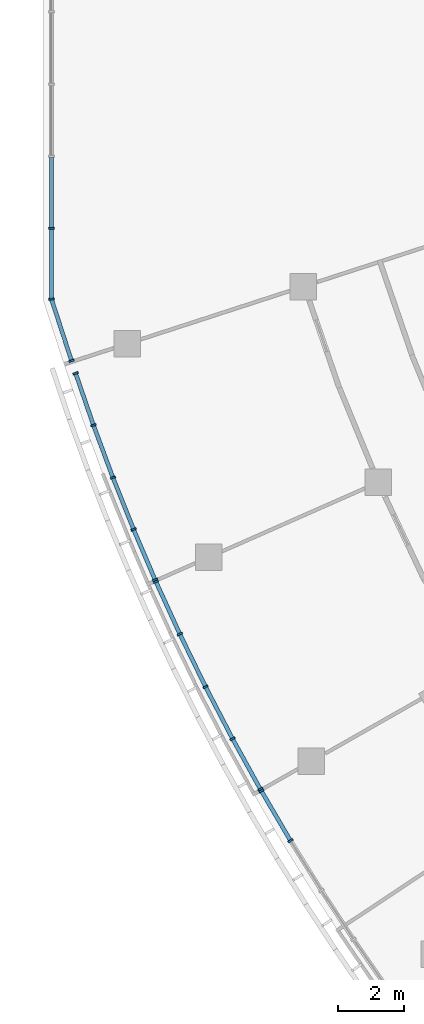
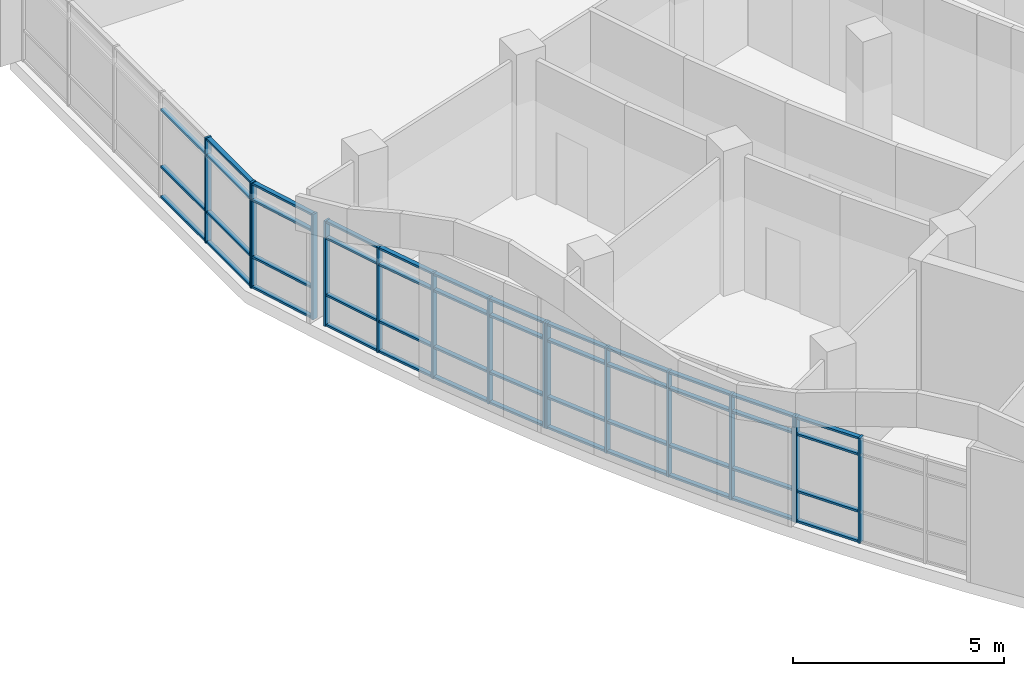
# One storey, part 17 of 137: 63 members, 5 elements without a shape of their own.
"""IFC4 building model written with IfcOpenShell, lengths in metres."""

from ifc_helpers import new_model, si_unit, direction, frame, origin, origin_2d, place, context, subcontext, project, spatial, rectangle, extrude, material, material_profile, profile_set, type_object, element, aggregate, save


model = new_model("IFC4")

# Units and contexts
model_context = context("Model", 3, precision=1e-05, world=origin(), true_north=direction((0.0, 1.0)))
body_context = subcontext(model_context, "Body", "Model", "MODEL_VIEW")
ifc_project = project(units=[si_unit("LENGTHUNIT", "METRE"), si_unit("AREAUNIT", "SQUARE_METRE"), si_unit("VOLUMEUNIT", "CUBIC_METRE"), si_unit("PLANEANGLEUNIT", "RADIAN"), si_unit("MASSUNIT", "GRAM", prefix="KILO")], contexts=[model_context])

# Site, building, storey
site_placement = place(None, origin())
site = spatial("IfcSite", under=ifc_project, at=site_placement, CompositionType="ELEMENT")
building_placement = place(site_placement, origin())
building = spatial("IfcBuilding", under=site, at=building_placement, Name="Bougainvillea Quay General Hospital", CompositionType="ELEMENT")
storey_placement = place(building_placement, frame((0.0, 0.0, 16.800048828125)))
storey = spatial("IfcBuildingStorey", under=building, at=storey_placement, Name="L03", CompositionType="ELEMENT", Elevation=16.800048828125)

# Curtain wall, members
ifc_material_1 = material(Name="Aluminium curtain wall system, powder-coated glazed", Category="aluminium")
curtain_wall_type_1 = type_object("IfcCurtainWallType", Name="Unitised curtain wall CW-2177", PredefinedType="NOTDEFINED", material=ifc_material_1)
curtain_wall_1_placement = place(storey_placement, origin())
curtain_wall_1 = element("IfcCurtainWall", 1, at=curtain_wall_1_placement, inside=storey, type_object=curtain_wall_type_1, Name="CW-AE 00", PredefinedType="NOTDEFINED")
ifc_material_2 = material(Name="Aluminium mullion, powder-coated charcoal", Category="aluminium")
ifc_material_profile_1 = material_profile(ifc_material_2, rectangle(XDim=0.159912109375, YDim=0.06005859375, at=origin_2d()))
ifc_profile_set_1 = profile_set([ifc_material_profile_1], Name="Aluminium mullion, powder-coated charcoal")
member_type_1 = type_object("IfcMemberType", Name="Curtain wall mullion 160x60", PredefinedType="MULLION", material=ifc_profile_set_1)
member_1_placement = place(storey_placement, frame((42.25, 108.472900390625, 0.0), z_axis=(0.0, 0.0, 1.0), x_axis=(1.0, 0.0, 0.0)))
member_1 = element("IfcMember", 2, at=member_1_placement, type_object=member_type_1, Name="CW-AE mullion 5", PredefinedType="MULLION", context=body_context, shape_type="SweptSolid", body=[
    extrude(rectangle(XDim=0.159912109375, YDim=0.06005859375, at=origin_2d()), origin(), (0.0, 0.0, 1.0), 3.050048828125),
])
member_2_placement = place(storey_placement, frame((42.25, 106.325927734375, 0.0), z_axis=(0.0, 0.0, 1.0), x_axis=(1.0, 0.0, 0.0)))
member_2 = element("IfcMember", 3, at=member_2_placement, type_object=member_type_1, Name="CW-AE mullion 6", PredefinedType="MULLION", context=body_context, shape_type="SweptSolid", body=[
    extrude(rectangle(XDim=0.159912109375, YDim=0.06005859375, at=origin_2d()), origin(), (0.0, 0.0, 1.0), 3.050048828125),
])

curtain_wall_type_2 = type_object("IfcCurtainWallType", Name="Unitised curtain wall CW-2027", PredefinedType="NOTDEFINED", material=ifc_material_1)
curtain_wall_2_placement = place(storey_placement, origin())
curtain_wall_2 = element("IfcCurtainWall", 4, at=curtain_wall_2_placement, inside=storey, type_object=curtain_wall_type_2, Name="CW-AE 00", PredefinedType="NOTDEFINED")
member_3_placement = place(storey_placement, frame((42.2470703125, 106.3447265625, 0.0), z_axis=(0.0, 0.0, 1.0), x_axis=(0.951073957858, 0.30896330961, 0.0)))
member_3 = element("IfcMember", 5, at=member_3_placement, type_object=member_type_1, Name="CW-AE mullion 1", PredefinedType="MULLION", context=body_context, shape_type="SweptSolid", body=[
    extrude(rectangle(XDim=0.159912109375, YDim=0.06005859375, at=origin_2d()), origin(), (0.0, 0.0, 1.0), 3.050048828125),
])
member_4_placement = place(storey_placement, frame((42.8544921875, 104.474853515625, 0.0), z_axis=(0.0, 0.0, 1.0), x_axis=(0.951073957858, 0.30896330961, 0.0)))
member_4 = element("IfcMember", 6, at=member_4_placement, type_object=member_type_1, Name="CW-AE mullion 2", PredefinedType="MULLION", context=body_context, shape_type="SweptSolid", body=[
    extrude(rectangle(XDim=0.159912109375, YDim=0.06005859375, at=origin_2d()), origin(), (0.0, 0.0, 1.0), 3.050048828125),
])

curtain_wall_type_3 = type_object("IfcCurtainWallType", Name="Unitised curtain wall CW-2100", PredefinedType="NOTDEFINED", material=ifc_material_1)
curtain_wall_3_placement = place(storey_placement, origin())
curtain_wall_3 = element("IfcCurtainWall", 7, at=curtain_wall_3_placement, inside=storey, type_object=curtain_wall_type_3, Name="CW-W06 a01b5", PredefinedType="NOTDEFINED")
member_5_placement = place(storey_placement, frame((49.46337890625, 89.99169921875, 0.0), z_axis=(0.0, 0.0, 1.0), x_axis=(-0.856438326455, -0.516249351553, 0.0)))
member_5 = element("IfcMember", 8, at=member_5_placement, type_object=member_type_1, Name="CW-W06 mullion 4", PredefinedType="MULLION", context=body_context, shape_type="SweptSolid", body=[
    extrude(rectangle(XDim=0.159912109375, YDim=0.06005859375, at=origin_2d()), origin(), (0.0, 0.0, 1.0), 3.050048828125),
])
member_6_placement = place(storey_placement, frame((48.584716796875, 91.491943359375, 0.0), z_axis=(0.0, 0.0, 1.0), x_axis=(-0.862915251166, -0.505348661129, 0.0)))
member_6 = element("IfcMember", 9, at=member_6_placement, type_object=member_type_1, Name="CW-W06 mullion 5", PredefinedType="MULLION", context=body_context, shape_type="SweptSolid", body=[
    extrude(rectangle(XDim=0.159912109375, YDim=0.06005859375, at=origin_2d()), origin(), (0.0, 0.0, 1.0), 3.050048828125),
])

curtain_wall_4_placement = place(storey_placement, origin())
curtain_wall_4 = element("IfcCurtainWall", 10, at=curtain_wall_4_placement, inside=storey, type_object=curtain_wall_type_3, Name="CW-W07 a01b6", PredefinedType="NOTDEFINED")
member_7_placement = place(storey_placement, frame((48.55517578125, 91.544189453125, 0.0), z_axis=(0.0, 0.0, 1.0), x_axis=(-0.875451874397, -0.483305302697, 0.0)))
member_7 = element("IfcMember", 11, at=member_7_placement, type_object=member_type_1, Name="CW-W07 mullion 1", PredefinedType="MULLION", context=body_context, shape_type="SweptSolid", body=[
    extrude(rectangle(XDim=0.159912109375, YDim=0.06005859375, at=origin_2d()), origin(), (0.0, 0.0, 1.0), 3.050048828125),
])
member_8_placement = place(storey_placement, frame((47.71484375, 93.06640625, 0.0), z_axis=(0.0, 0.0, 1.0), x_axis=(-0.881509557333, -0.472166178724, 0.0)))
member_8 = element("IfcMember", 12, at=member_8_placement, type_object=member_type_1, Name="CW-W07 mullion 2", PredefinedType="MULLION", context=body_context, shape_type="SweptSolid", body=[
    extrude(rectangle(XDim=0.159912109375, YDim=0.06005859375, at=origin_2d()), origin(), (0.0, 0.0, 1.0), 3.050048828125),
])
member_9_placement = place(storey_placement, frame((46.8994140625, 94.635986328125, 0.0), z_axis=(0.0, 0.0, 1.0), x_axis=(-0.893198796365, -0.449661995473, 0.0)))
member_9 = element("IfcMember", 13, at=member_9_placement, type_object=member_type_1, Name="CW-W07 mullion 3", PredefinedType="MULLION", context=body_context, shape_type="SweptSolid", body=[
    extrude(rectangle(XDim=0.159912109375, YDim=0.06005859375, at=origin_2d()), origin(), (0.0, 0.0, 1.0), 3.050048828125),
])
member_10_placement = place(storey_placement, frame((46.1240234375, 96.225830078125, 0.0), z_axis=(0.0, 0.0, 1.0), x_axis=(-0.904313640176, -0.426868645126, 0.0)))
member_10 = element("IfcMember", 14, at=member_10_placement, type_object=member_type_1, Name="CW-W07 mullion 4", PredefinedType="MULLION", context=body_context, shape_type="SweptSolid", body=[
    extrude(rectangle(XDim=0.159912109375, YDim=0.06005859375, at=origin_2d()), origin(), (0.0, 0.0, 1.0), 3.050048828125),
])
member_11_placement = place(storey_placement, frame((45.40185546875, 97.8076171875, 0.0), z_axis=(0.0, 0.0, 1.0), x_axis=(-0.909653415663, -0.415368105869, 0.0)))
member_11 = element("IfcMember", 15, at=member_11_placement, type_object=member_type_1, Name="CW-W07 mullion 5", PredefinedType="MULLION", context=body_context, shape_type="SweptSolid", body=[
    extrude(rectangle(XDim=0.159912109375, YDim=0.06005859375, at=origin_2d()), origin(), (0.0, 0.0, 1.0), 3.050048828125),
])

curtain_wall_5_placement = place(storey_placement, origin())
curtain_wall_5 = element("IfcCurtainWall", 16, at=curtain_wall_5_placement, inside=storey, type_object=curtain_wall_type_3, Name="CW-W08 a01b7", PredefinedType="NOTDEFINED")
member_12_placement = place(storey_placement, frame((45.377685546875, 97.862548828125, 0.0), z_axis=(0.0, 0.0, 1.0), x_axis=(-0.919658672607, -0.392718634519, 0.0)))
member_12 = element("IfcMember", 17, at=member_12_placement, type_object=member_type_1, Name="CW-W08 mullion 1", PredefinedType="MULLION", context=body_context, shape_type="SweptSolid", body=[
    extrude(rectangle(XDim=0.159912109375, YDim=0.06005859375, at=origin_2d()), origin(), (0.0, 0.0, 1.0), 3.050048828125),
])
member_13_placement = place(storey_placement, frame((44.7275390625, 99.384765625, 0.0), z_axis=(0.0, 0.0, 1.0), x_axis=(-0.924336164481, -0.381579159588, 0.0)))
member_13 = element("IfcMember", 18, at=member_13_placement, type_object=member_type_1, Name="CW-W08 mullion 2", PredefinedType="MULLION", context=body_context, shape_type="SweptSolid", body=[
    extrude(rectangle(XDim=0.159912109375, YDim=0.06005859375, at=origin_2d()), origin(), (0.0, 0.0, 1.0), 3.050048828125),
])
member_14_placement = place(storey_placement, frame((44.103271484375, 100.950439453125, 0.0), z_axis=(0.0, 0.0, 1.0), x_axis=(-0.9332857179, -0.359134750148, 0.0)))
member_14 = element("IfcMember", 19, at=member_14_placement, type_object=member_type_1, Name="CW-W08 mullion 3", PredefinedType="MULLION", context=body_context, shape_type="SweptSolid", body=[
    extrude(rectangle(XDim=0.159912109375, YDim=0.06005859375, at=origin_2d()), origin(), (0.0, 0.0, 1.0), 3.050048828125),
])
member_15_placement = place(storey_placement, frame((43.51708984375, 102.530517578125, 0.0), z_axis=(0.0, 0.0, 1.0), x_axis=(-0.941690376159, -0.336480661329, 0.0)))
member_15 = element("IfcMember", 20, at=member_15_placement, type_object=member_type_1, Name="CW-W08 mullion 4", PredefinedType="MULLION", context=body_context, shape_type="SweptSolid", body=[
    extrude(rectangle(XDim=0.159912109375, YDim=0.06005859375, at=origin_2d()), origin(), (0.0, 0.0, 1.0), 3.050048828125),
])
member_16_placement = place(storey_placement, frame((42.97900390625, 104.095947265625, 0.0), z_axis=(0.0, 0.0, 1.0), x_axis=(-0.945686823657, -0.325079115849, 0.0)))
member_16 = element("IfcMember", 21, at=member_16_placement, type_object=member_type_1, Name="CW-W08 mullion 5", PredefinedType="MULLION", context=body_context, shape_type="SweptSolid", body=[
    extrude(rectangle(XDim=0.159912109375, YDim=0.06005859375, at=origin_2d()), origin(), (0.0, 0.0, 1.0), 3.050048828125),
])

# Member
ifc_material_3 = material(Name="Aluminium transom, powder-coated charcoal", Category="aluminium")
ifc_material_profile_2 = material_profile(ifc_material_3, rectangle(XDim=0.1201171875, YDim=0.06005859375, at=origin_2d()))
ifc_profile_set_2 = profile_set([ifc_material_profile_2], Name="Aluminium transom, powder-coated charcoal")
member_type_2 = type_object("IfcMemberType", Name="Curtain wall transom 120x60", PredefinedType="USERDEFINED", material=ifc_profile_set_2)
member_17_placement = place(storey_placement, frame((42.25, 110.61962890625, 0.030029296875), z_axis=(0.0, -1.0, 0.0), x_axis=(1.0, 0.0, 0.0)))
member_17 = element("IfcMember", 22, at=member_17_placement, type_object=member_type_2, Name="CW-AE transom 4.1", ObjectType="TRANSOM", PredefinedType="USERDEFINED", context=body_context, shape_type="SweptSolid", body=[
    extrude(rectangle(XDim=0.1201171875, YDim=0.06005859375, at=origin_2d()), origin(), (0.0, 0.0, 1.0), 2.116943359375),
])

member_18_placement = place(storey_placement, frame((42.25, 110.61962890625, 0.89990234375), z_axis=(0.0, -1.0, 0.0), x_axis=(1.0, 0.0, 0.0)))
member_18 = element("IfcMember", 23, at=member_18_placement, type_object=member_type_2, Name="CW-AE transom 4.2", ObjectType="TRANSOM", PredefinedType="USERDEFINED", context=body_context, shape_type="SweptSolid", body=[
    extrude(rectangle(XDim=0.1201171875, YDim=0.06005859375, at=origin_2d()), origin(), (0.0, 0.0, 1.0), 2.116943359375),
])

member_19_placement = place(storey_placement, frame((42.25, 110.61962890625, 2.550048828125), z_axis=(0.0, -1.0, 0.0), x_axis=(1.0, 0.0, 0.0)))
member_19 = element("IfcMember", 24, at=member_19_placement, type_object=member_type_2, Name="CW-AE transom 4.3", ObjectType="TRANSOM", PredefinedType="USERDEFINED", context=body_context, shape_type="SweptSolid", body=[
    extrude(rectangle(XDim=0.1201171875, YDim=0.06005859375, at=origin_2d()), origin(), (0.0, 0.0, 1.0), 2.116943359375),
])

member_20_placement = place(storey_placement, frame((42.25, 108.44287109375, 0.030029296875), z_axis=(0.0, -1.0, 0.0), x_axis=(1.0, 0.0, 0.0)))
member_20 = element("IfcMember", 25, at=member_20_placement, type_object=member_type_2, Name="CW-AE transom 5.1", ObjectType="TRANSOM", PredefinedType="USERDEFINED", context=body_context, shape_type="SweptSolid", body=[
    extrude(rectangle(XDim=0.1201171875, YDim=0.06005859375, at=origin_2d()), origin(), (0.0, 0.0, 1.0), 2.0869140625),
])

member_21_placement = place(storey_placement, frame((42.25, 108.44287109375, 0.89990234375), z_axis=(0.0, -1.0, 0.0), x_axis=(1.0, 0.0, 0.0)))
member_21 = element("IfcMember", 26, at=member_21_placement, type_object=member_type_2, Name="CW-AE transom 5.2", ObjectType="TRANSOM", PredefinedType="USERDEFINED", context=body_context, shape_type="SweptSolid", body=[
    extrude(rectangle(XDim=0.1201171875, YDim=0.06005859375, at=origin_2d()), origin(), (0.0, 0.0, 1.0), 2.0869140625),
])

member_22_placement = place(storey_placement, frame((42.25, 108.44287109375, 2.550048828125), z_axis=(0.0, -1.0, 0.0), x_axis=(1.0, 0.0, 0.0)))
member_22 = element("IfcMember", 27, at=member_22_placement, type_object=member_type_2, Name="CW-AE transom 5.3", ObjectType="TRANSOM", PredefinedType="USERDEFINED", context=body_context, shape_type="SweptSolid", body=[
    extrude(rectangle(XDim=0.1201171875, YDim=0.06005859375, at=origin_2d()), origin(), (0.0, 0.0, 1.0), 2.0869140625),
])

member_23_placement = place(storey_placement, frame((42.25, 108.44287109375, 3.02001953125), z_axis=(0.0, -1.0, 0.0), x_axis=(1.0, 0.0, 0.0)))
member_23 = element("IfcMember", 28, at=member_23_placement, type_object=member_type_2, Name="CW-AE transom 5.4", ObjectType="TRANSOM", PredefinedType="USERDEFINED", context=body_context, shape_type="SweptSolid", body=[
    extrude(rectangle(XDim=0.1201171875, YDim=0.06005859375, at=origin_2d()), origin(), (0.0, 0.0, 1.0), 2.0869140625),
])

aggregate(curtain_wall_1, [member_1, member_2, member_17, member_18, member_19, member_20, member_21, member_22, member_23])

member_24_placement = place(storey_placement, frame((42.25634765625, 106.316162109375, 0.030029296875), z_axis=(0.308955733663, -0.951076418926, 0.0), x_axis=(0.951076418926, 0.308955733663, 0.0)))
member_24 = element("IfcMember", 29, at=member_24_placement, type_object=member_type_2, Name="CW-AE transom 1.1", ObjectType="TRANSOM", PredefinedType="USERDEFINED", context=body_context, shape_type="SweptSolid", body=[
    extrude(rectangle(XDim=0.1201171875, YDim=0.06005859375, at=origin_2d()), origin(), (0.0, 0.0, 1.0), 1.906005859375),
])

member_25_placement = place(storey_placement, frame((42.25634765625, 106.316162109375, 0.89990234375), z_axis=(0.308955733663, -0.951076418926, 0.0), x_axis=(0.951076418926, 0.308955733663, 0.0)))
member_25 = element("IfcMember", 30, at=member_25_placement, type_object=member_type_2, Name="CW-AE transom 1.2", ObjectType="TRANSOM", PredefinedType="USERDEFINED", context=body_context, shape_type="SweptSolid", body=[
    extrude(rectangle(XDim=0.1201171875, YDim=0.06005859375, at=origin_2d()), origin(), (0.0, 0.0, 1.0), 1.906005859375),
])

member_26_placement = place(storey_placement, frame((42.25634765625, 106.316162109375, 2.550048828125), z_axis=(0.308955733663, -0.951076418926, 0.0), x_axis=(0.951076418926, 0.308955733663, 0.0)))
member_26 = element("IfcMember", 31, at=member_26_placement, type_object=member_type_2, Name="CW-AE transom 1.3", ObjectType="TRANSOM", PredefinedType="USERDEFINED", context=body_context, shape_type="SweptSolid", body=[
    extrude(rectangle(XDim=0.1201171875, YDim=0.06005859375, at=origin_2d()), origin(), (0.0, 0.0, 1.0), 1.906005859375),
])

member_27_placement = place(storey_placement, frame((42.25634765625, 106.316162109375, 3.02001953125), z_axis=(0.308955733663, -0.951076418926, 0.0), x_axis=(0.951076418926, 0.308955733663, 0.0)))
member_27 = element("IfcMember", 32, at=member_27_placement, type_object=member_type_2, Name="CW-AE transom 1.4", ObjectType="TRANSOM", PredefinedType="USERDEFINED", context=body_context, shape_type="SweptSolid", body=[
    extrude(rectangle(XDim=0.1201171875, YDim=0.06005859375, at=origin_2d()), origin(), (0.0, 0.0, 1.0), 1.906005859375),
])

aggregate(curtain_wall_2, [member_3, member_4, member_24, member_25, member_26, member_27])

member_28_placement = place(storey_placement, frame((49.4482421875, 90.017578125, 0.030029296875), z_axis=(-0.505398470554, 0.862886079365, 0.0), x_axis=(-0.862886079365, -0.505398470554, 0.0)))
member_28 = element("IfcMember", 33, at=member_28_placement, type_object=member_type_2, Name="CW-W06 transom 4.1", ObjectType="TRANSOM", PredefinedType="USERDEFINED", context=body_context, shape_type="SweptSolid", body=[
    extrude(rectangle(XDim=0.1201171875, YDim=0.06005859375, at=origin_2d()), origin(), (0.0, 0.0, 1.0), 1.6787109375),
])

member_29_placement = place(storey_placement, frame((49.4482421875, 90.017578125, 0.89990234375), z_axis=(-0.505398470554, 0.862886079365, 0.0), x_axis=(-0.862886079365, -0.505398470554, 0.0)))
member_29 = element("IfcMember", 34, at=member_29_placement, type_object=member_type_2, Name="CW-W06 transom 4.2", ObjectType="TRANSOM", PredefinedType="USERDEFINED", context=body_context, shape_type="SweptSolid", body=[
    extrude(rectangle(XDim=0.1201171875, YDim=0.06005859375, at=origin_2d()), origin(), (0.0, 0.0, 1.0), 1.6787109375),
])

member_30_placement = place(storey_placement, frame((49.4482421875, 90.017578125, 2.550048828125), z_axis=(-0.505398470554, 0.862886079365, 0.0), x_axis=(-0.862886079365, -0.505398470554, 0.0)))
member_30 = element("IfcMember", 35, at=member_30_placement, type_object=member_type_2, Name="CW-W06 transom 4.3", ObjectType="TRANSOM", PredefinedType="USERDEFINED", context=body_context, shape_type="SweptSolid", body=[
    extrude(rectangle(XDim=0.1201171875, YDim=0.06005859375, at=origin_2d()), origin(), (0.0, 0.0, 1.0), 1.6787109375),
])

member_31_placement = place(storey_placement, frame((49.4482421875, 90.017578125, 3.02001953125), z_axis=(-0.505398470554, 0.862886079365, 0.0), x_axis=(-0.862886079365, -0.505398470554, 0.0)))
member_31 = element("IfcMember", 36, at=member_31_placement, type_object=member_type_2, Name="CW-W06 transom 4.4", ObjectType="TRANSOM", PredefinedType="USERDEFINED", context=body_context, shape_type="SweptSolid", body=[
    extrude(rectangle(XDim=0.1201171875, YDim=0.06005859375, at=origin_2d()), origin(), (0.0, 0.0, 1.0), 1.6787109375),
])

aggregate(curtain_wall_3, [member_5, member_6, member_28, member_29, member_30, member_31])

member_32_placement = place(storey_placement, frame((48.54052734375, 91.570556640625, 0.030029296875), z_axis=(-0.483319558897, 0.875444003913, 0.0), x_axis=(-0.875444003913, -0.483319558897, 0.0)))
member_32 = element("IfcMember", 37, at=member_32_placement, type_object=member_type_2, Name="CW-W07 transom 1.1", ObjectType="TRANSOM", PredefinedType="USERDEFINED", context=body_context, shape_type="SweptSolid", body=[
    extrude(rectangle(XDim=0.1201171875, YDim=0.06005859375, at=origin_2d()), origin(), (0.0, 0.0, 1.0), 1.678466796875),
])

member_33_placement = place(storey_placement, frame((48.54052734375, 91.570556640625, 0.89990234375), z_axis=(-0.483319558897, 0.875444003913, 0.0), x_axis=(-0.875444003913, -0.483319558897, 0.0)))
member_33 = element("IfcMember", 38, at=member_33_placement, type_object=member_type_2, Name="CW-W07 transom 1.2", ObjectType="TRANSOM", PredefinedType="USERDEFINED", context=body_context, shape_type="SweptSolid", body=[
    extrude(rectangle(XDim=0.1201171875, YDim=0.06005859375, at=origin_2d()), origin(), (0.0, 0.0, 1.0), 1.678466796875),
])

member_34_placement = place(storey_placement, frame((48.54052734375, 91.570556640625, 2.550048828125), z_axis=(-0.483319558897, 0.875444003913, 0.0), x_axis=(-0.875444003913, -0.483319558897, 0.0)))
member_34 = element("IfcMember", 39, at=member_34_placement, type_object=member_type_2, Name="CW-W07 transom 1.3", ObjectType="TRANSOM", PredefinedType="USERDEFINED", context=body_context, shape_type="SweptSolid", body=[
    extrude(rectangle(XDim=0.1201171875, YDim=0.06005859375, at=origin_2d()), origin(), (0.0, 0.0, 1.0), 1.678466796875),
])

member_35_placement = place(storey_placement, frame((48.54052734375, 91.570556640625, 3.02001953125), z_axis=(-0.483319558897, 0.875444003913, 0.0), x_axis=(-0.875444003913, -0.483319558897, 0.0)))
member_35 = element("IfcMember", 40, at=member_35_placement, type_object=member_type_2, Name="CW-W07 transom 1.4", ObjectType="TRANSOM", PredefinedType="USERDEFINED", context=body_context, shape_type="SweptSolid", body=[
    extrude(rectangle(XDim=0.1201171875, YDim=0.06005859375, at=origin_2d()), origin(), (0.0, 0.0, 1.0), 1.678466796875),
])

member_36_placement = place(storey_placement, frame((47.700927734375, 93.093017578125, 0.030029296875), z_axis=(-0.460934299369, 0.887434263292, 0.0), x_axis=(-0.887434263292, -0.460934299369, 0.0)))
member_36 = element("IfcMember", 41, at=member_36_placement, type_object=member_type_2, Name="CW-W07 transom 2.1", ObjectType="TRANSOM", PredefinedType="USERDEFINED", context=body_context, shape_type="SweptSolid", body=[
    extrude(rectangle(XDim=0.1201171875, YDim=0.06005859375, at=origin_2d()), origin(), (0.0, 0.0, 1.0), 1.708740234375),
])

member_37_placement = place(storey_placement, frame((47.700927734375, 93.093017578125, 0.89990234375), z_axis=(-0.460934299369, 0.887434263292, 0.0), x_axis=(-0.887434263292, -0.460934299369, 0.0)))
member_37 = element("IfcMember", 42, at=member_37_placement, type_object=member_type_2, Name="CW-W07 transom 2.2", ObjectType="TRANSOM", PredefinedType="USERDEFINED", context=body_context, shape_type="SweptSolid", body=[
    extrude(rectangle(XDim=0.1201171875, YDim=0.06005859375, at=origin_2d()), origin(), (0.0, 0.0, 1.0), 1.708740234375),
])

member_38_placement = place(storey_placement, frame((47.700927734375, 93.093017578125, 2.550048828125), z_axis=(-0.460934299369, 0.887434263292, 0.0), x_axis=(-0.887434263292, -0.460934299369, 0.0)))
member_38 = element("IfcMember", 43, at=member_38_placement, type_object=member_type_2, Name="CW-W07 transom 2.3", ObjectType="TRANSOM", PredefinedType="USERDEFINED", context=body_context, shape_type="SweptSolid", body=[
    extrude(rectangle(XDim=0.1201171875, YDim=0.06005859375, at=origin_2d()), origin(), (0.0, 0.0, 1.0), 1.708740234375),
])

member_39_placement = place(storey_placement, frame((47.700927734375, 93.093017578125, 3.02001953125), z_axis=(-0.460934299369, 0.887434263292, 0.0), x_axis=(-0.887434263292, -0.460934299369, 0.0)))
member_39 = element("IfcMember", 44, at=member_39_placement, type_object=member_type_2, Name="CW-W07 transom 2.4", ObjectType="TRANSOM", PredefinedType="USERDEFINED", context=body_context, shape_type="SweptSolid", body=[
    extrude(rectangle(XDim=0.1201171875, YDim=0.06005859375, at=origin_2d()), origin(), (0.0, 0.0, 1.0), 1.708740234375),
])

member_40_placement = place(storey_placement, frame((46.88623046875, 94.6630859375, 0.030029296875), z_axis=(-0.4383335534, 0.898812380847, 0.0), x_axis=(-0.898812380847, -0.4383335534, 0.0)))
member_40 = element("IfcMember", 45, at=member_40_placement, type_object=member_type_2, Name="CW-W07 transom 3.1", ObjectType="TRANSOM", PredefinedType="USERDEFINED", context=body_context, shape_type="SweptSolid", body=[
    extrude(rectangle(XDim=0.1201171875, YDim=0.06005859375, at=origin_2d()), origin(), (0.0, 0.0, 1.0), 1.708740234375),
])

member_41_placement = place(storey_placement, frame((46.88623046875, 94.6630859375, 0.89990234375), z_axis=(-0.4383335534, 0.898812380847, 0.0), x_axis=(-0.898812380847, -0.4383335534, 0.0)))
member_41 = element("IfcMember", 46, at=member_41_placement, type_object=member_type_2, Name="CW-W07 transom 3.2", ObjectType="TRANSOM", PredefinedType="USERDEFINED", context=body_context, shape_type="SweptSolid", body=[
    extrude(rectangle(XDim=0.1201171875, YDim=0.06005859375, at=origin_2d()), origin(), (0.0, 0.0, 1.0), 1.708740234375),
])

member_42_placement = place(storey_placement, frame((46.88623046875, 94.6630859375, 2.550048828125), z_axis=(-0.4383335534, 0.898812380847, 0.0), x_axis=(-0.898812380847, -0.4383335534, 0.0)))
member_42 = element("IfcMember", 47, at=member_42_placement, type_object=member_type_2, Name="CW-W07 transom 3.3", ObjectType="TRANSOM", PredefinedType="USERDEFINED", context=body_context, shape_type="SweptSolid", body=[
    extrude(rectangle(XDim=0.1201171875, YDim=0.06005859375, at=origin_2d()), origin(), (0.0, 0.0, 1.0), 1.708740234375),
])

member_43_placement = place(storey_placement, frame((46.88623046875, 94.6630859375, 3.02001953125), z_axis=(-0.4383335534, 0.898812380847, 0.0), x_axis=(-0.898812380847, -0.4383335534, 0.0)))
member_43 = element("IfcMember", 48, at=member_43_placement, type_object=member_type_2, Name="CW-W07 transom 3.4", ObjectType="TRANSOM", PredefinedType="USERDEFINED", context=body_context, shape_type="SweptSolid", body=[
    extrude(rectangle(XDim=0.1201171875, YDim=0.06005859375, at=origin_2d()), origin(), (0.0, 0.0, 1.0), 1.708740234375),
])

member_44_placement = place(storey_placement, frame((46.111572265625, 96.253173828125, 0.030029296875), z_axis=(-0.415347290214, 0.909662920269, 0.0), x_axis=(-0.909662920269, -0.415347290214, 0.0)))
member_44 = element("IfcMember", 49, at=member_44_placement, type_object=member_type_2, Name="CW-W07 transom 4.1", ObjectType="TRANSOM", PredefinedType="USERDEFINED", context=body_context, shape_type="SweptSolid", body=[
    extrude(rectangle(XDim=0.1201171875, YDim=0.06005859375, at=origin_2d()), origin(), (0.0, 0.0, 1.0), 1.6787109375),
])

member_45_placement = place(storey_placement, frame((46.111572265625, 96.253173828125, 0.89990234375), z_axis=(-0.415347290214, 0.909662920269, 0.0), x_axis=(-0.909662920269, -0.415347290214, 0.0)))
member_45 = element("IfcMember", 50, at=member_45_placement, type_object=member_type_2, Name="CW-W07 transom 4.2", ObjectType="TRANSOM", PredefinedType="USERDEFINED", context=body_context, shape_type="SweptSolid", body=[
    extrude(rectangle(XDim=0.1201171875, YDim=0.06005859375, at=origin_2d()), origin(), (0.0, 0.0, 1.0), 1.6787109375),
])

member_46_placement = place(storey_placement, frame((46.111572265625, 96.253173828125, 2.550048828125), z_axis=(-0.415347290214, 0.909662920269, 0.0), x_axis=(-0.909662920269, -0.415347290214, 0.0)))
member_46 = element("IfcMember", 51, at=member_46_placement, type_object=member_type_2, Name="CW-W07 transom 4.3", ObjectType="TRANSOM", PredefinedType="USERDEFINED", context=body_context, shape_type="SweptSolid", body=[
    extrude(rectangle(XDim=0.1201171875, YDim=0.06005859375, at=origin_2d()), origin(), (0.0, 0.0, 1.0), 1.6787109375),
])

member_47_placement = place(storey_placement, frame((46.111572265625, 96.253173828125, 3.02001953125), z_axis=(-0.415347290214, 0.909662920269, 0.0), x_axis=(-0.909662920269, -0.415347290214, 0.0)))
member_47 = element("IfcMember", 52, at=member_47_placement, type_object=member_type_2, Name="CW-W07 transom 4.4", ObjectType="TRANSOM", PredefinedType="USERDEFINED", context=body_context, shape_type="SweptSolid", body=[
    extrude(rectangle(XDim=0.1201171875, YDim=0.06005859375, at=origin_2d()), origin(), (0.0, 0.0, 1.0), 1.6787109375),
])

aggregate(curtain_wall_4, [member_7, member_8, member_9, member_10, member_11, member_32, member_33, member_34, member_35, member_36, member_37, member_38, member_39, member_40, member_41, member_42, member_43, member_44, member_45, member_46, member_47])

member_48_placement = place(storey_placement, frame((45.365966796875, 97.89013671875, 0.030029296875), z_axis=(-0.392847767155, 0.919603518828, 0.0), x_axis=(-0.919603518828, -0.392847767155, 0.0)))
member_48 = element("IfcMember", 53, at=member_48_placement, type_object=member_type_2, Name="CW-W08 transom 1.1", ObjectType="TRANSOM", PredefinedType="USERDEFINED", context=body_context, shape_type="SweptSolid", body=[
    extrude(rectangle(XDim=0.1201171875, YDim=0.06005859375, at=origin_2d()), origin(), (0.0, 0.0, 1.0), 1.59521484375),
])

member_49_placement = place(storey_placement, frame((45.365966796875, 97.89013671875, 0.89990234375), z_axis=(-0.392847767155, 0.919603518828, 0.0), x_axis=(-0.919603518828, -0.392847767155, 0.0)))
member_49 = element("IfcMember", 54, at=member_49_placement, type_object=member_type_2, Name="CW-W08 transom 1.2", ObjectType="TRANSOM", PredefinedType="USERDEFINED", context=body_context, shape_type="SweptSolid", body=[
    extrude(rectangle(XDim=0.1201171875, YDim=0.06005859375, at=origin_2d()), origin(), (0.0, 0.0, 1.0), 1.59521484375),
])

member_50_placement = place(storey_placement, frame((45.365966796875, 97.89013671875, 2.550048828125), z_axis=(-0.392847767155, 0.919603518828, 0.0), x_axis=(-0.919603518828, -0.392847767155, 0.0)))
member_50 = element("IfcMember", 55, at=member_50_placement, type_object=member_type_2, Name="CW-W08 transom 1.3", ObjectType="TRANSOM", PredefinedType="USERDEFINED", context=body_context, shape_type="SweptSolid", body=[
    extrude(rectangle(XDim=0.1201171875, YDim=0.06005859375, at=origin_2d()), origin(), (0.0, 0.0, 1.0), 1.59521484375),
])

member_51_placement = place(storey_placement, frame((45.365966796875, 97.89013671875, 3.02001953125), z_axis=(-0.392847767155, 0.919603518828, 0.0), x_axis=(-0.919603518828, -0.392847767155, 0.0)))
member_51 = element("IfcMember", 56, at=member_51_placement, type_object=member_type_2, Name="CW-W08 transom 1.4", ObjectType="TRANSOM", PredefinedType="USERDEFINED", context=body_context, shape_type="SweptSolid", body=[
    extrude(rectangle(XDim=0.1201171875, YDim=0.06005859375, at=origin_2d()), origin(), (0.0, 0.0, 1.0), 1.59521484375),
])

member_52_placement = place(storey_placement, frame((44.716552734375, 99.412841796875, 0.030029296875), z_axis=(-0.370406363802, 0.928869810929, 0.0), x_axis=(-0.928869810929, -0.370406363802, 0.0)))
member_52 = element("IfcMember", 57, at=member_52_placement, type_object=member_type_2, Name="CW-W08 transom 2.1", ObjectType="TRANSOM", PredefinedType="USERDEFINED", context=body_context, shape_type="SweptSolid", body=[
    extrude(rectangle(XDim=0.1201171875, YDim=0.06005859375, at=origin_2d()), origin(), (0.0, 0.0, 1.0), 1.62548828125),
])

member_53_placement = place(storey_placement, frame((44.716552734375, 99.412841796875, 0.89990234375), z_axis=(-0.370406363802, 0.928869810929, 0.0), x_axis=(-0.928869810929, -0.370406363802, 0.0)))
member_53 = element("IfcMember", 58, at=member_53_placement, type_object=member_type_2, Name="CW-W08 transom 2.2", ObjectType="TRANSOM", PredefinedType="USERDEFINED", context=body_context, shape_type="SweptSolid", body=[
    extrude(rectangle(XDim=0.1201171875, YDim=0.06005859375, at=origin_2d()), origin(), (0.0, 0.0, 1.0), 1.62548828125),
])

member_54_placement = place(storey_placement, frame((44.716552734375, 99.412841796875, 2.550048828125), z_axis=(-0.370406363802, 0.928869810929, 0.0), x_axis=(-0.928869810929, -0.370406363802, 0.0)))
member_54 = element("IfcMember", 59, at=member_54_placement, type_object=member_type_2, Name="CW-W08 transom 2.3", ObjectType="TRANSOM", PredefinedType="USERDEFINED", context=body_context, shape_type="SweptSolid", body=[
    extrude(rectangle(XDim=0.1201171875, YDim=0.06005859375, at=origin_2d()), origin(), (0.0, 0.0, 1.0), 1.62548828125),
])

member_55_placement = place(storey_placement, frame((44.716552734375, 99.412841796875, 3.02001953125), z_axis=(-0.370406363802, 0.928869810929, 0.0), x_axis=(-0.928869810929, -0.370406363802, 0.0)))
member_55 = element("IfcMember", 60, at=member_55_placement, type_object=member_type_2, Name="CW-W08 transom 2.4", ObjectType="TRANSOM", PredefinedType="USERDEFINED", context=body_context, shape_type="SweptSolid", body=[
    extrude(rectangle(XDim=0.1201171875, YDim=0.06005859375, at=origin_2d()), origin(), (0.0, 0.0, 1.0), 1.62548828125),
])

member_56_placement = place(storey_placement, frame((44.093017578125, 100.978515625, 0.030029296875), z_axis=(-0.347862189765, 0.937545677251, 0.0), x_axis=(-0.937545677251, -0.347862189765, 0.0)))
member_56 = element("IfcMember", 61, at=member_56_placement, type_object=member_type_2, Name="CW-W08 transom 3.1", ObjectType="TRANSOM", PredefinedType="USERDEFINED", context=body_context, shape_type="SweptSolid", body=[
    extrude(rectangle(XDim=0.1201171875, YDim=0.06005859375, at=origin_2d()), origin(), (0.0, 0.0, 1.0), 1.62548828125),
])

member_57_placement = place(storey_placement, frame((44.093017578125, 100.978515625, 0.89990234375), z_axis=(-0.347862189765, 0.937545677251, 0.0), x_axis=(-0.937545677251, -0.347862189765, 0.0)))
member_57 = element("IfcMember", 62, at=member_57_placement, type_object=member_type_2, Name="CW-W08 transom 3.2", ObjectType="TRANSOM", PredefinedType="USERDEFINED", context=body_context, shape_type="SweptSolid", body=[
    extrude(rectangle(XDim=0.1201171875, YDim=0.06005859375, at=origin_2d()), origin(), (0.0, 0.0, 1.0), 1.62548828125),
])

member_58_placement = place(storey_placement, frame((44.093017578125, 100.978515625, 2.550048828125), z_axis=(-0.347862189765, 0.937545677251, 0.0), x_axis=(-0.937545677251, -0.347862189765, 0.0)))
member_58 = element("IfcMember", 63, at=member_58_placement, type_object=member_type_2, Name="CW-W08 transom 3.3", ObjectType="TRANSOM", PredefinedType="USERDEFINED", context=body_context, shape_type="SweptSolid", body=[
    extrude(rectangle(XDim=0.1201171875, YDim=0.06005859375, at=origin_2d()), origin(), (0.0, 0.0, 1.0), 1.62548828125),
])

member_59_placement = place(storey_placement, frame((44.093017578125, 100.978515625, 3.02001953125), z_axis=(-0.347862189765, 0.937545677251, 0.0), x_axis=(-0.937545677251, -0.347862189765, 0.0)))
member_59 = element("IfcMember", 64, at=member_59_placement, type_object=member_type_2, Name="CW-W08 transom 3.4", ObjectType="TRANSOM", PredefinedType="USERDEFINED", context=body_context, shape_type="SweptSolid", body=[
    extrude(rectangle(XDim=0.1201171875, YDim=0.06005859375, at=origin_2d()), origin(), (0.0, 0.0, 1.0), 1.62548828125),
])

member_60_placement = place(storey_placement, frame((43.50732421875, 102.558837890625, 0.030029296875), z_axis=(-0.325028447329, 0.945704239404, 0.0), x_axis=(-0.945704239404, -0.325028447329, 0.0)))
member_60 = element("IfcMember", 65, at=member_60_placement, type_object=member_type_2, Name="CW-W08 transom 4.1", ObjectType="TRANSOM", PredefinedType="USERDEFINED", context=body_context, shape_type="SweptSolid", body=[
    extrude(rectangle(XDim=0.1201171875, YDim=0.06005859375, at=origin_2d()), origin(), (0.0, 0.0, 1.0), 1.595458984375),
])

member_61_placement = place(storey_placement, frame((43.50732421875, 102.558837890625, 0.89990234375), z_axis=(-0.325028447329, 0.945704239404, 0.0), x_axis=(-0.945704239404, -0.325028447329, 0.0)))
member_61 = element("IfcMember", 66, at=member_61_placement, type_object=member_type_2, Name="CW-W08 transom 4.2", ObjectType="TRANSOM", PredefinedType="USERDEFINED", context=body_context, shape_type="SweptSolid", body=[
    extrude(rectangle(XDim=0.1201171875, YDim=0.06005859375, at=origin_2d()), origin(), (0.0, 0.0, 1.0), 1.595458984375),
])

member_62_placement = place(storey_placement, frame((43.50732421875, 102.558837890625, 2.550048828125), z_axis=(-0.325028447329, 0.945704239404, 0.0), x_axis=(-0.945704239404, -0.325028447329, 0.0)))
member_62 = element("IfcMember", 67, at=member_62_placement, type_object=member_type_2, Name="CW-W08 transom 4.3", ObjectType="TRANSOM", PredefinedType="USERDEFINED", context=body_context, shape_type="SweptSolid", body=[
    extrude(rectangle(XDim=0.1201171875, YDim=0.06005859375, at=origin_2d()), origin(), (0.0, 0.0, 1.0), 1.595458984375),
])

member_63_placement = place(storey_placement, frame((43.50732421875, 102.558837890625, 3.02001953125), z_axis=(-0.325028447329, 0.945704239404, 0.0), x_axis=(-0.945704239404, -0.325028447329, 0.0)))
member_63 = element("IfcMember", 68, at=member_63_placement, type_object=member_type_2, Name="CW-W08 transom 4.4", ObjectType="TRANSOM", PredefinedType="USERDEFINED", context=body_context, shape_type="SweptSolid", body=[
    extrude(rectangle(XDim=0.1201171875, YDim=0.06005859375, at=origin_2d()), origin(), (0.0, 0.0, 1.0), 1.595458984375),
])

aggregate(curtain_wall_5, [member_12, member_13, member_14, member_15, member_16, member_48, member_49, member_50, member_51, member_52, member_53, member_54, member_55, member_56, member_57, member_58, member_59, member_60, member_61, member_62, member_63])

save(model, "model.ifc")
